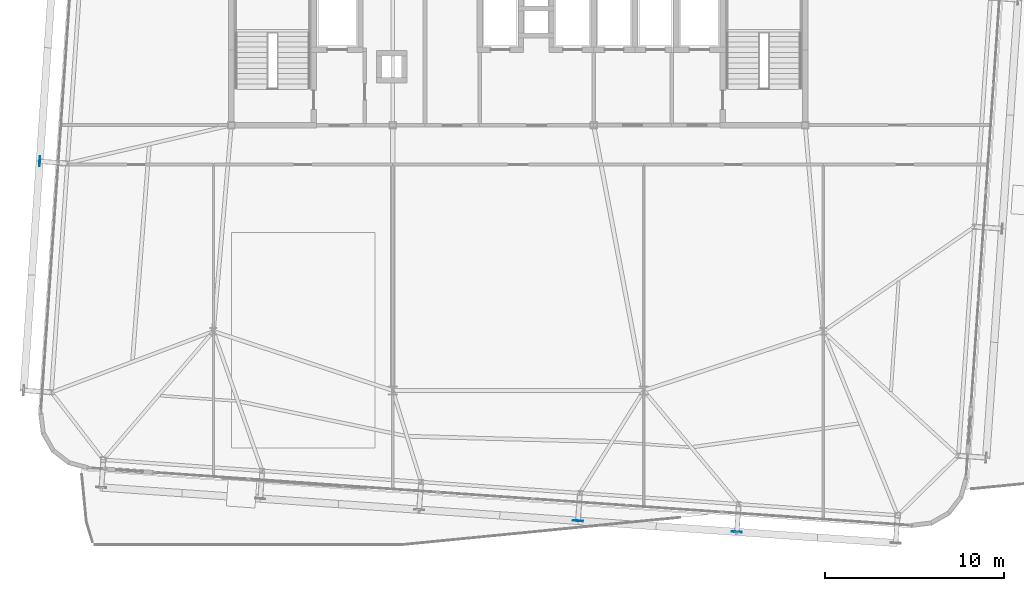
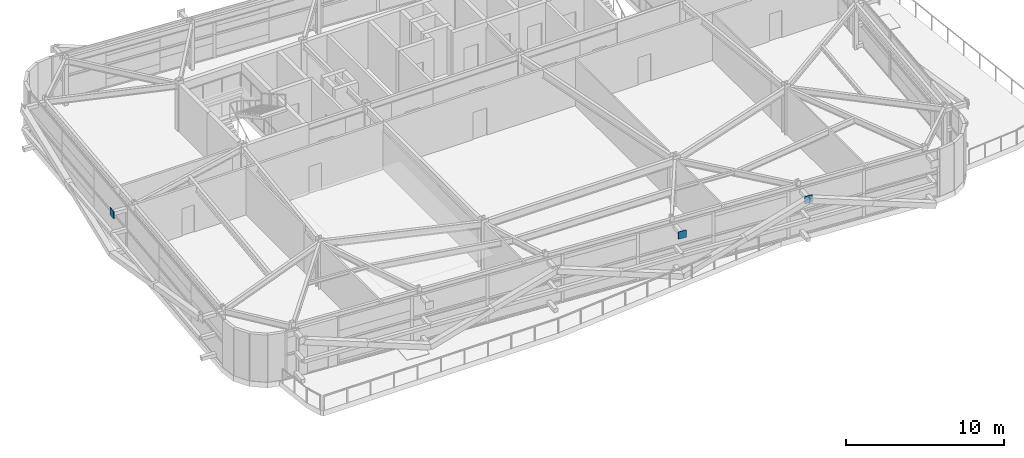
# One storey, part 26 of 36: 3 plates.
"""IFC4 building model written with IfcOpenShell, lengths in metres."""

from ifc_helpers import new_model, si_unit, direction, frame, origin, origin_2d, place, context, subcontext, project, spatial, rectangle, extrude, source, transform, mapped, material, layer, layer_set, type_object, element, save


model = new_model("IFC4")

# Units and contexts
model_context = context("Model", 3, precision=1e-05, world=origin(), true_north=direction((0.0, 1.0)))
body_context = subcontext(model_context, "Body", "Model", "MODEL_VIEW")
ifc_project = project(units=[si_unit("LENGTHUNIT", "METRE"), si_unit("AREAUNIT", "SQUARE_METRE"), si_unit("VOLUMEUNIT", "CUBIC_METRE"), si_unit("PLANEANGLEUNIT", "RADIAN"), si_unit("MASSUNIT", "GRAM", prefix="KILO")], contexts=[model_context])

# Site, building, storey
site_placement = place(None, origin())
site = spatial("IfcSite", under=ifc_project, at=site_placement, CompositionType="ELEMENT")
building_placement = place(site_placement, origin())
building = spatial("IfcBuilding", under=site, at=building_placement, Name="Taldren Reach Tower", CompositionType="ELEMENT")
storey_placement = place(building_placement, frame((0.0, 0.0, 116.550048828125)))
storey = spatial("IfcBuildingStorey", under=building, at=storey_placement, Name="L35", CompositionType="ELEMENT", Elevation=116.550048828125)

# Plates
ifc_material = material(Name="Steel Gr 450 (C450L0)", Category="steel")
ifc_layer = layer(ifc_material, 0.0400390625)
ifc_layer_set = layer_set([ifc_layer], Name="Steel Gr 450 (C450L0)")
plate_type = type_object("IfcPlateType", Name="PL-GUSSET-40", PredefinedType="SHEET", material=ifc_layer_set)
shared_shape = source(origin(), body_context, "Body", "SweptSolid", [
    extrude(rectangle(XDim=0.56005859375, YDim=0.0400390625, at=origin_2d()), origin(), (0.0, 0.0, 1.0), 0.56005859375),
])
for number, where, z_axis, x_axis, name in (
    (1, (38.33056640625, 1.933837890625, 3.06982421875), (0.0, 0.0, 1.0), (0.99756405026, -0.069756473744, 0.0), "Exoskeleton star-node gusset plate B3-S4 L35"),
    (2, (47.18896484375, 1.314453125, 3.06982421875), (0.0, 0.0, 1.0), (0.99756405026, -0.069756473744, 0.0), "Exoskeleton star-node gusset plate B3-S5 L35"),
    (3, (8.3154296875, 21.9765625, 3.06982421875), (0.0, 0.0, 1.0), (0.069756473744, 0.99756405026, 0.0), "Exoskeleton star-node gusset plate B3-W2 L35"),
):
    element("IfcPlate", number, at=place(storey_placement, frame(where, z_axis=z_axis, x_axis=x_axis)), inside=storey, type_object=plate_type, Name=name, PredefinedType="SHEET", context=body_context, shape_type="MappedRepresentation", body=[
        mapped(shared_shape, transform((0.0, 0.0, 0.0), scale=1.0)),
    ])

save(model, "model.ifc")
